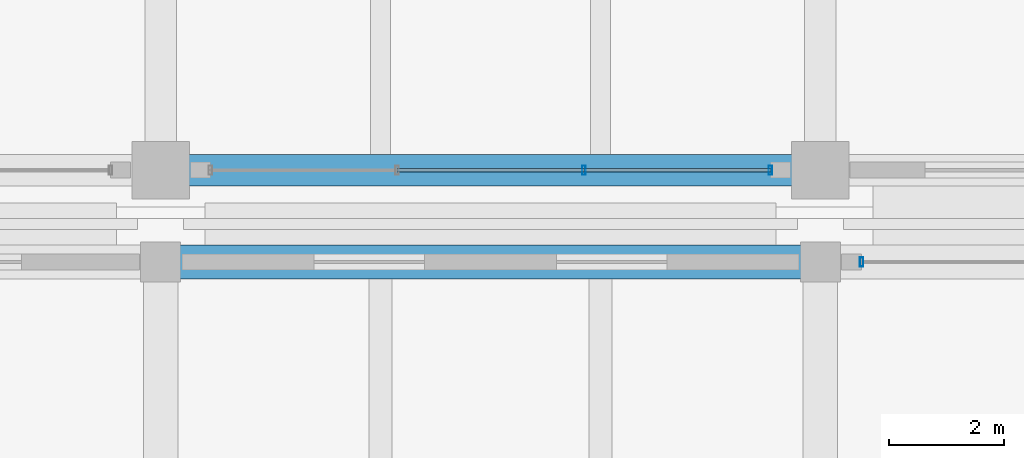
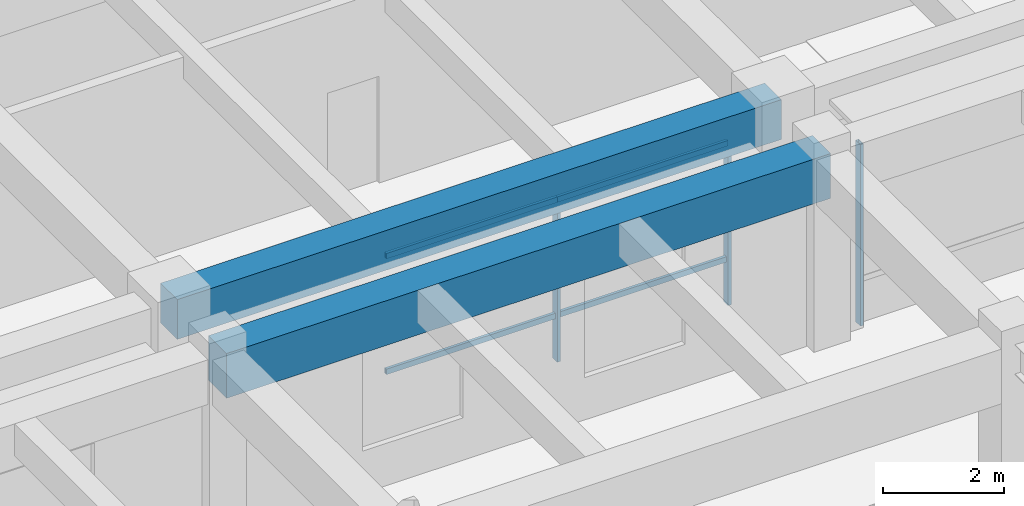
# One storey, part 23 of 98: 7 members, 2 beams, 2 elements without a shape of their own.
"""IFC4 building model written with IfcOpenShell, lengths in metres."""

from ifc_helpers import new_model, si_unit, direction, frame, origin, origin_2d, place, context, subcontext, project, spatial, rectangle, hollow_rectangle, extrude, material, material_profile, profile_set, type_object, element, aggregate, save


model = new_model("IFC4")

# Units and contexts
model_context = context("Model", 3, precision=1e-05, world=origin(), true_north=direction((0.0, 1.0)))
body_context = subcontext(model_context, "Body", "Model", "MODEL_VIEW")
ifc_project = project(units=[si_unit("LENGTHUNIT", "METRE"), si_unit("AREAUNIT", "SQUARE_METRE"), si_unit("VOLUMEUNIT", "CUBIC_METRE"), si_unit("PLANEANGLEUNIT", "RADIAN"), si_unit("MASSUNIT", "GRAM", prefix="KILO")], contexts=[model_context])

# Site, building, storey
site_placement = place(None, origin())
site = spatial("IfcSite", under=ifc_project, at=site_placement, CompositionType="ELEMENT")
building_placement = place(site_placement, origin())
building = spatial("IfcBuilding", under=site, at=building_placement, Name="Ologun Quay Terminus", CompositionType="ELEMENT")
storey_placement = place(building_placement, frame((0.0, 0.0, 4.199951171875)))
storey = spatial("IfcBuildingStorey", under=building, at=storey_placement, Name="L01", CompositionType="ELEMENT", Elevation=4.199951171875)

# Curtain wall, member
ifc_material_1 = material(Name="Aluminium 6063-T6", Category="aluminium")
curtain_wall_type_1 = type_object("IfcCurtainWallType", Name="Forecourt Mezzanine Curtain Wall 10700x3850", PredefinedType="USERDEFINED", material=ifc_material_1)
curtain_wall_1_placement = place(storey_placement, origin())
curtain_wall_1 = element("IfcCurtainWall", 1, at=curtain_wall_1_placement, inside=storey, type_object=curtain_wall_type_1, Name="CW-04 Curtain Wall CW-L01-088", ObjectType="UNITISED CURTAIN WALL", PredefinedType="USERDEFINED")
ifc_material_2 = material(Name="Aluminium 6063-T6", Category="aluminium")
ifc_material_profile_1 = material_profile(ifc_material_2, hollow_rectangle(XDim=0.06005859375, YDim=0.159912109375, WallThickness=0.00390625, at=origin_2d()), Name="ALU 160x60x4")
ifc_profile_set_1 = profile_set([ifc_material_profile_1], Name="Aluminium 6063-T6")
member_type_1 = type_object("IfcMemberType", Name="Courtyard Screen Mullion 160x65", PredefinedType="MULLION", material=ifc_profile_set_1)
member_1_placement = place(storey_placement, frame((46.719970703125, 84.199951171875, 0.0), z_axis=(0.0, 0.0, 1.0), x_axis=(1.0, 0.0, 0.0)))
member_1 = element("IfcMember", 2, at=member_1_placement, type_object=member_type_1, Name="CW-L01-088 Mullion 1", PredefinedType="MULLION", context=body_context, shape_type="SweptSolid", body=[
    extrude(hollow_rectangle(XDim=0.06005859375, YDim=0.159912109375, WallThickness=0.00390625, at=origin_2d()), origin(), (0.0, 0.0, 1.0), 3.650146484375),
])
aggregate(curtain_wall_1, [member_1])

# Curtain wall, members
ifc_material_3 = material(Name="Aluminium 6063-T6", Category="aluminium")
curtain_wall_type_2 = type_object("IfcCurtainWallType", Name="Waterfront Pavilion Harbour Curtain Wall L01 10500x3850", PredefinedType="USERDEFINED", material=ifc_material_3)
curtain_wall_2_placement = place(storey_placement, origin())
curtain_wall_2 = element("IfcCurtainWall", 3, at=curtain_wall_2_placement, inside=storey, type_object=curtain_wall_type_2, Name="CW-23 Curtain Wall CW-L01-098", ObjectType="UNITISED CURTAIN WALL", PredefinedType="USERDEFINED")
member_2_placement = place(storey_placement, frame((41.876708984375, 85.800048828125, 0.0), z_axis=(0.0, 0.0, 1.0), x_axis=(1.0, 0.0, 0.0)))
member_2 = element("IfcMember", 4, at=member_2_placement, type_object=member_type_1, Name="CW-L01-098 Mullion 3", PredefinedType="MULLION", context=body_context, shape_type="SweptSolid", body=[
    extrude(hollow_rectangle(XDim=0.06005859375, YDim=0.159912109375, WallThickness=0.00390625, at=origin_2d()), origin(), (0.0, 0.0, 1.0), 3.929931640625),
])
member_3_placement = place(storey_placement, frame((45.1298828125, 85.800048828125, 0.0), z_axis=(0.0, 0.0, 1.0), x_axis=(1.0, 0.0, 0.0)))
member_3 = element("IfcMember", 5, at=member_3_placement, type_object=member_type_1, Name="CW-L01-098 Mullion 4", PredefinedType="MULLION", context=body_context, shape_type="SweptSolid", body=[
    extrude(hollow_rectangle(XDim=0.06005859375, YDim=0.159912109375, WallThickness=0.00390625, at=origin_2d()), origin(), (0.0, 0.0, 1.0), 3.929931640625),
])
ifc_material_4 = material(Name="Aluminium 6063-T6", Category="aluminium")
ifc_material_profile_2 = material_profile(ifc_material_4, hollow_rectangle(XDim=0.054931640625, YDim=0.110107421875, WallThickness=0.00390625, at=origin_2d()), Name="ALU 110x55x4")
ifc_profile_set_2 = profile_set([ifc_material_profile_2], Name="Aluminium 6063-T6")
member_type_2 = type_object("IfcMemberType", Name="Courtyard Screen Transom 110x55", PredefinedType="USERDEFINED", material=ifc_profile_set_2)
member_4_placement = place(storey_placement, frame((38.623291015625, 85.800048828125, 0.900146484375), z_axis=(1.0, 0.0, 0.0), x_axis=(0.0, 1.0, 0.0)))
member_4 = element("IfcMember", 6, at=member_4_placement, type_object=member_type_2, Name="CW-L01-098 Transom B2-1", ObjectType="TRANSOM", PredefinedType="USERDEFINED", context=body_context, shape_type="SweptSolid", body=[
    extrude(hollow_rectangle(XDim=0.054931640625, YDim=0.110107421875, WallThickness=0.00390625, at=origin_2d()), origin(), (0.0, 0.0, 1.0), 3.25341796875),
])
member_5_placement = place(storey_placement, frame((38.623291015625, 85.800048828125, 3.22998046875), z_axis=(1.0, 0.0, 0.0), x_axis=(0.0, 1.0, 0.0)))
member_5 = element("IfcMember", 7, at=member_5_placement, type_object=member_type_2, Name="CW-L01-098 Transom B2-2", ObjectType="TRANSOM", PredefinedType="USERDEFINED", context=body_context, shape_type="SweptSolid", body=[
    extrude(hollow_rectangle(XDim=0.054931640625, YDim=0.110107421875, WallThickness=0.00390625, at=origin_2d()), origin(), (0.0, 0.0, 1.0), 3.25341796875),
])
member_6_placement = place(storey_placement, frame((41.876708984375, 85.800048828125, 0.900146484375), z_axis=(1.0, 0.0, 0.0), x_axis=(0.0, 1.0, 0.0)))
member_6 = element("IfcMember", 8, at=member_6_placement, type_object=member_type_2, Name="CW-L01-098 Transom B3-1", ObjectType="TRANSOM", PredefinedType="USERDEFINED", context=body_context, shape_type="SweptSolid", body=[
    extrude(hollow_rectangle(XDim=0.054931640625, YDim=0.110107421875, WallThickness=0.00390625, at=origin_2d()), origin(), (0.0, 0.0, 1.0), 3.253173828125),
])
member_7_placement = place(storey_placement, frame((41.876708984375, 85.800048828125, 3.22998046875), z_axis=(1.0, 0.0, 0.0), x_axis=(0.0, 1.0, 0.0)))
member_7 = element("IfcMember", 9, at=member_7_placement, type_object=member_type_2, Name="CW-L01-098 Transom B3-2", ObjectType="TRANSOM", PredefinedType="USERDEFINED", context=body_context, shape_type="SweptSolid", body=[
    extrude(hollow_rectangle(XDim=0.054931640625, YDim=0.110107421875, WallThickness=0.00390625, at=origin_2d()), origin(), (0.0, 0.0, 1.0), 3.253173828125),
])
aggregate(curtain_wall_2, [member_2, member_3, member_4, member_5, member_6, member_7])

# Beams
ifc_material_5 = material(Name="Concrete C40/50", Category="concrete")
ifc_material_profile_3 = material_profile(ifc_material_5, rectangle(XDim=0.550048828125, YDim=0.800048828125, at=origin_2d()), Name="RC 550x800")
ifc_profile_set_3 = profile_set([ifc_material_profile_3], Name="Concrete C40/50")
beam_type_1 = type_object("IfcBeamType", Name="Courtyard Wing Primary Girder 550x800", PredefinedType="BEAM", material=ifc_profile_set_3)
beam_1_placement = place(storey_placement, frame((34.5, 85.800048828125, 3.550048828125), z_axis=(1.0, 0.0, 0.0), x_axis=(0.0, 1.0, 0.0)))
element("IfcBeam", 10, at=beam_1_placement, inside=storey, type_object=beam_type_1, Name="B4 Beam 4/G2 L01", PredefinedType="BEAM", context=body_context, shape_type="SweptSolid", body=[
    extrude(rectangle(XDim=0.550048828125, YDim=0.800048828125, at=origin_2d()), origin(), (0.0, 0.0, 1.0), 11.5),
])
ifc_material_6 = material(Name="Concrete C40/50", Category="concrete")
ifc_material_profile_4 = material_profile(ifc_material_6, rectangle(XDim=0.60009765625, YDim=0.89990234375, at=origin_2d()), Name="RC 600x900")
ifc_profile_set_4 = profile_set([ifc_material_profile_4], Name="Concrete C40/50")
beam_type_2 = type_object("IfcBeamType", Name="Station Frame Girder 600x900", PredefinedType="BEAM", material=ifc_profile_set_4)
beam_2_placement = place(storey_placement, frame((34.5, 84.199951171875, 3.400146484375), z_axis=(1.0, 0.0, 0.0), x_axis=(0.0, 1.0, 0.0)))
element("IfcBeam", 11, at=beam_2_placement, inside=storey, type_object=beam_type_2, Name="B3 Beam 4/G1 L01", PredefinedType="BEAM", context=body_context, shape_type="SweptSolid", body=[
    extrude(rectangle(XDim=0.60009765625, YDim=0.89990234375, at=origin_2d()), origin(), (0.0, 0.0, 1.0), 11.5),
])

save(model, "model.ifc")
